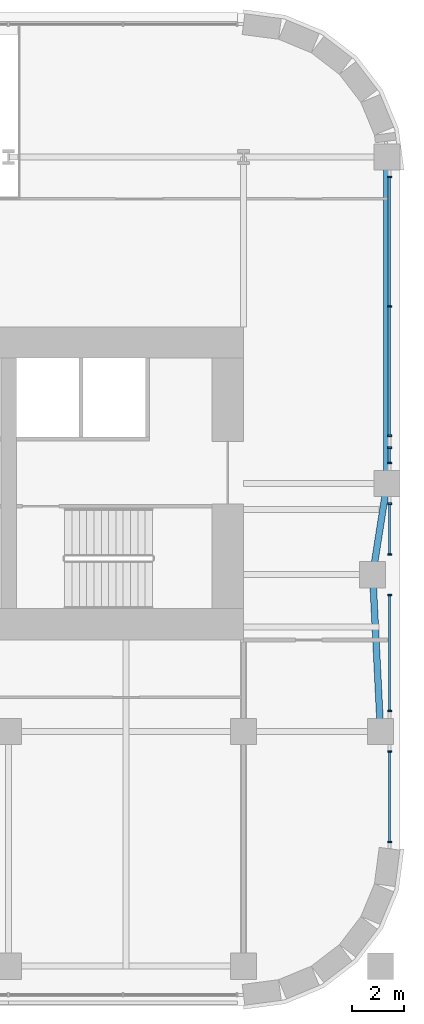
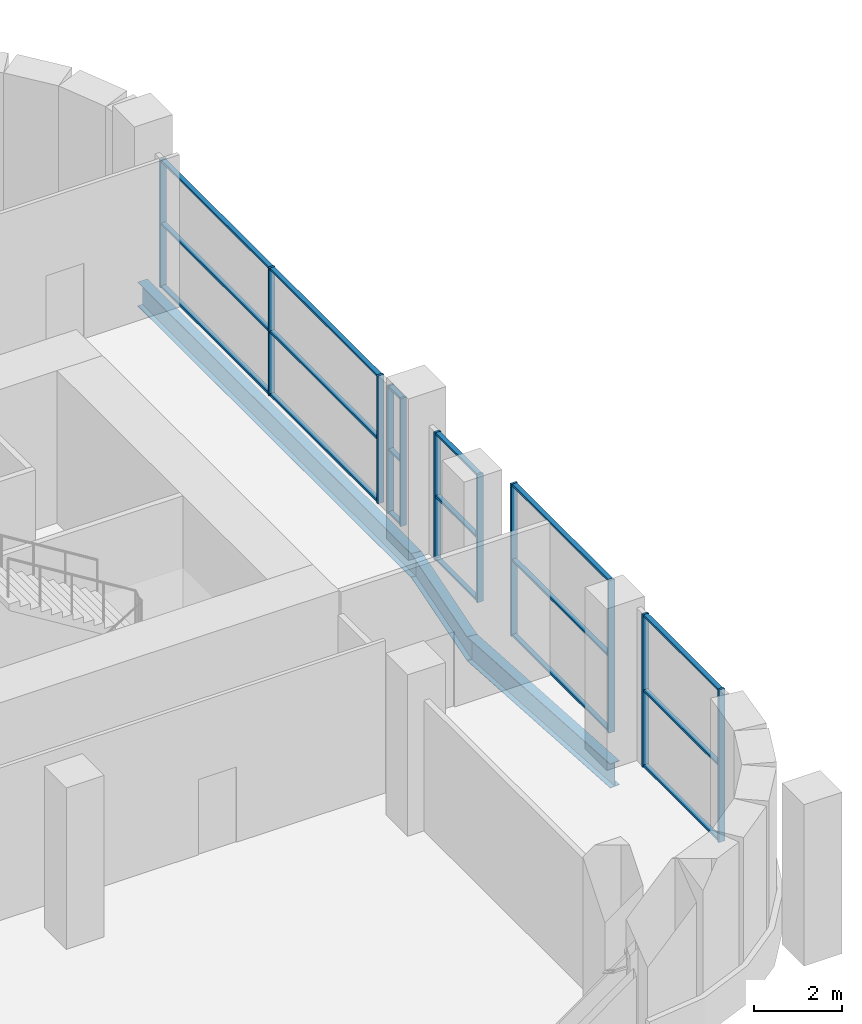
# One storey, part 10 of 21: 29 members, 3 beams, 5 elements without a shape of their own.
"""IFC4 building model written with IfcOpenShell, lengths in metres."""

from ifc_helpers import new_model, si_unit, direction, frame, origin, origin_2d, place, context, subcontext, project, spatial, rectangle, i_section, extrude, material, material_profile, profile_set, type_object, element, aggregate, save


model = new_model("IFC4")

# Units and contexts
model_context = context("Model", 3, precision=1e-05, world=origin(), true_north=direction((0.0, 1.0)))
body_context = subcontext(model_context, "Body", "Model", "MODEL_VIEW")
ifc_project = project(units=[si_unit("LENGTHUNIT", "METRE"), si_unit("AREAUNIT", "SQUARE_METRE"), si_unit("VOLUMEUNIT", "CUBIC_METRE"), si_unit("PLANEANGLEUNIT", "RADIAN"), si_unit("MASSUNIT", "GRAM", prefix="KILO")], contexts=[model_context])

# Site, building, storey
site_placement = place(None, origin())
site = spatial("IfcSite", under=ifc_project, at=site_placement, CompositionType="ELEMENT")
building_placement = place(site_placement, origin())
building = spatial("IfcBuilding", under=site, at=building_placement, Name="Zellij Exchange Tower", CompositionType="ELEMENT")
storey_placement = place(building_placement, frame((0.0, 0.0, 43.5)))
storey = spatial("IfcBuildingStorey", under=building, at=storey_placement, Name="L07", CompositionType="ELEMENT", Elevation=43.5)

# Curtain wall, members
ifc_material_1 = material(Name="Aluminium frame, clear insulating glass", Category="aluminium")
curtain_wall_type = type_object("IfcCurtainWallType", Name="ENV-CW1 Sky-garden glazing", PredefinedType="NOTDEFINED", material=ifc_material_1)
curtain_wall_1_placement = place(storey_placement, origin())
curtain_wall_1 = element("IfcCurtainWall", 1, at=curtain_wall_1_placement, inside=storey, type_object=curtain_wall_type, Name="cw.L07.07a", PredefinedType="NOTDEFINED")
ifc_material_2 = material(Name="Aluminium", Category="aluminium")
ifc_material_profile_1 = material_profile(ifc_material_2, rectangle(XDim=0.06005859375, YDim=0.159912109375, at=origin_2d()), Name="AL 60x160")
ifc_profile_set_1 = profile_set([ifc_material_profile_1], Name="Aluminium")
member_type_1 = type_object("IfcMemberType", Name="ENV-CW1M Mullion 60x160", PredefinedType="MULLION", material=ifc_profile_set_1)
member_1_placement = place(storey_placement, frame((32.60009765625, -21.743896484375, 0.0), z_axis=(0.0, 0.0, 1.0), x_axis=(0.0, 1.0, 0.0)))
member_1 = element("IfcMember", 2, at=member_1_placement, type_object=member_type_1, Name="CW1 mullion 1", PredefinedType="MULLION", context=body_context, shape_type="SweptSolid", body=[
    extrude(rectangle(XDim=0.06005859375, YDim=0.159912109375, at=origin_2d()), origin(), (0.0, 0.0, 1.0), 4.25),
])
member_2_placement = place(storey_placement, frame((32.60009765625, -18.280029296875, 0.0), z_axis=(0.0, 0.0, 1.0), x_axis=(0.0, 1.0, 0.0)))
member_2 = element("IfcMember", 3, at=member_2_placement, type_object=member_type_1, Name="CW1 mullion 2", PredefinedType="MULLION", context=body_context, shape_type="SweptSolid", body=[
    extrude(rectangle(XDim=0.06005859375, YDim=0.159912109375, at=origin_2d()), origin(), (0.0, 0.0, 1.0), 4.25),
])

curtain_wall_2_placement = place(storey_placement, origin())
curtain_wall_2 = element("IfcCurtainWall", 4, at=curtain_wall_2_placement, inside=storey, type_object=curtain_wall_type, Name="cw.L07.07b", PredefinedType="NOTDEFINED")
member_3_placement = place(storey_placement, frame((32.60009765625, -16.719970703125, 0.0), z_axis=(0.0, 0.0, 1.0), x_axis=(0.0, 1.0, 0.0)))
member_3 = element("IfcMember", 5, at=member_3_placement, type_object=member_type_1, Name="CW1 mullion 1", PredefinedType="MULLION", context=body_context, shape_type="SweptSolid", body=[
    extrude(rectangle(XDim=0.06005859375, YDim=0.159912109375, at=origin_2d()), origin(), (0.0, 0.0, 1.0), 4.25),
])
member_4_placement = place(storey_placement, frame((32.60009765625, -12.280029296875, 0.0), z_axis=(0.0, 0.0, 1.0), x_axis=(0.0, 1.0, 0.0)))
member_4 = element("IfcMember", 6, at=member_4_placement, type_object=member_type_1, Name="CW1 mullion 2", PredefinedType="MULLION", context=body_context, shape_type="SweptSolid", body=[
    extrude(rectangle(XDim=0.06005859375, YDim=0.159912109375, at=origin_2d()), origin(), (0.0, 0.0, 1.0), 4.25),
])

curtain_wall_3_placement = place(storey_placement, origin())
curtain_wall_3 = element("IfcCurtainWall", 7, at=curtain_wall_3_placement, inside=storey, type_object=curtain_wall_type, Name="cw.L07.07c", PredefinedType="NOTDEFINED")
member_5_placement = place(storey_placement, frame((32.60009765625, -10.719970703125, 0.0), z_axis=(0.0, 0.0, 1.0), x_axis=(0.0, 1.0, 0.0)))
member_5 = element("IfcMember", 8, at=member_5_placement, type_object=member_type_1, Name="CW1 mullion 1", PredefinedType="MULLION", context=body_context, shape_type="SweptSolid", body=[
    extrude(rectangle(XDim=0.06005859375, YDim=0.159912109375, at=origin_2d()), origin(), (0.0, 0.0, 1.0), 3.561767578125),
])
member_6_placement = place(storey_placement, frame((32.60009765625, -8.780029296875, 0.0), z_axis=(0.0, 0.0, 1.0), x_axis=(0.0, 1.0, 0.0)))
member_6 = element("IfcMember", 9, at=member_6_placement, type_object=member_type_1, Name="CW1 mullion 2", PredefinedType="MULLION", context=body_context, shape_type="SweptSolid", body=[
    extrude(rectangle(XDim=0.06005859375, YDim=0.159912109375, at=origin_2d()), origin(), (0.0, 0.0, 1.0), 3.561767578125),
])

curtain_wall_4_placement = place(storey_placement, origin())
curtain_wall_4 = element("IfcCurtainWall", 10, at=curtain_wall_4_placement, inside=storey, type_object=curtain_wall_type, Name="cw.L07.07d", PredefinedType="NOTDEFINED")
member_7_placement = place(storey_placement, frame((32.60009765625, -7.219970703125, 0.0), z_axis=(0.0, 0.0, 1.0), x_axis=(0.0, 1.0, 0.0)))
member_7 = element("IfcMember", 11, at=member_7_placement, type_object=member_type_1, Name="CW1 mullion 1", PredefinedType="MULLION", context=body_context, shape_type="SweptSolid", body=[
    extrude(rectangle(XDim=0.06005859375, YDim=0.159912109375, at=origin_2d()), origin(), (0.0, 0.0, 1.0), 3.561767578125),
])
member_8_placement = place(storey_placement, frame((32.60009765625, -6.63525390625, 0.0), z_axis=(0.0, 0.0, 1.0), x_axis=(0.0, 1.0, 0.0)))
member_8 = element("IfcMember", 12, at=member_8_placement, type_object=member_type_1, Name="CW1 mullion 2", PredefinedType="MULLION", context=body_context, shape_type="SweptSolid", body=[
    extrude(rectangle(XDim=0.06005859375, YDim=0.159912109375, at=origin_2d()), origin(), (0.0, 0.0, 1.0), 3.561767578125),
])

curtain_wall_5_placement = place(storey_placement, origin())
curtain_wall_5 = element("IfcCurtainWall", 13, at=curtain_wall_5_placement, inside=storey, type_object=curtain_wall_type, Name="cw.L07.07e", PredefinedType="NOTDEFINED")
member_9_placement = place(storey_placement, frame((32.60009765625, -6.17529296875, 0.0), z_axis=(0.0, 0.0, 1.0), x_axis=(0.0, 1.0, 0.0)))
member_9 = element("IfcMember", 14, at=member_9_placement, type_object=member_type_1, Name="CW1 mullion 1", PredefinedType="MULLION", context=body_context, shape_type="SweptSolid", body=[
    extrude(rectangle(XDim=0.06005859375, YDim=0.159912109375, at=origin_2d()), origin(), (0.0, 0.0, 1.0), 3.561767578125),
])
member_10_placement = place(storey_placement, frame((32.60009765625, -1.2158203125, 0.0), z_axis=(0.0, 0.0, 1.0), x_axis=(0.0, 1.0, 0.0)))
member_10 = element("IfcMember", 15, at=member_10_placement, type_object=member_type_1, Name="CW1 mullion 2", PredefinedType="MULLION", context=body_context, shape_type="SweptSolid", body=[
    extrude(rectangle(XDim=0.06005859375, YDim=0.159912109375, at=origin_2d()), origin(), (0.0, 0.0, 1.0), 3.561767578125),
])
member_11_placement = place(storey_placement, frame((32.60009765625, 3.743896484375, 0.0), z_axis=(0.0, 0.0, 1.0), x_axis=(0.0, 1.0, 0.0)))
member_11 = element("IfcMember", 16, at=member_11_placement, type_object=member_type_1, Name="CW1 mullion 3", PredefinedType="MULLION", context=body_context, shape_type="SweptSolid", body=[
    extrude(rectangle(XDim=0.06005859375, YDim=0.159912109375, at=origin_2d()), origin(), (0.0, 0.0, 1.0), 3.561767578125),
])

# Member
ifc_material_profile_2 = material_profile(ifc_material_2, rectangle(XDim=0.1201171875, YDim=0.06005859375, at=origin_2d()), Name="AL 120x60")
ifc_profile_set_2 = profile_set([ifc_material_profile_2], Name="Aluminium")
member_type_2 = type_object("IfcMemberType", Name="ENV-CW1T Transom 120x60", PredefinedType="USERDEFINED", material=ifc_profile_set_2)
member_12_placement = place(storey_placement, frame((32.60009765625, -21.7138671875, 0.030029296875), z_axis=(0.0, 1.0, 0.0), x_axis=(-1.0, 0.0, 0.0)))
member_12 = element("IfcMember", 17, at=member_12_placement, type_object=member_type_2, Name="CW1 transom 1.1", ObjectType="TRANSOM", PredefinedType="USERDEFINED", context=body_context, shape_type="SweptSolid", body=[
    extrude(rectangle(XDim=0.1201171875, YDim=0.06005859375, at=origin_2d()), origin(), (0.0, 0.0, 1.0), 3.40380859375),
])

member_13_placement = place(storey_placement, frame((32.60009765625, -21.7138671875, 2.125), z_axis=(0.0, 1.0, 0.0), x_axis=(-1.0, 0.0, 0.0)))
member_13 = element("IfcMember", 18, at=member_13_placement, type_object=member_type_2, Name="CW1 transom 1.2", ObjectType="TRANSOM", PredefinedType="USERDEFINED", context=body_context, shape_type="SweptSolid", body=[
    extrude(rectangle(XDim=0.1201171875, YDim=0.06005859375, at=origin_2d()), origin(), (0.0, 0.0, 1.0), 3.40380859375),
])

member_14_placement = place(storey_placement, frame((32.60009765625, -21.7138671875, 4.219970703125), z_axis=(0.0, 1.0, 0.0), x_axis=(-1.0, 0.0, 0.0)))
member_14 = element("IfcMember", 19, at=member_14_placement, type_object=member_type_2, Name="CW1 transom 1.3", ObjectType="TRANSOM", PredefinedType="USERDEFINED", context=body_context, shape_type="SweptSolid", body=[
    extrude(rectangle(XDim=0.1201171875, YDim=0.06005859375, at=origin_2d()), origin(), (0.0, 0.0, 1.0), 3.40380859375),
])

aggregate(curtain_wall_1, [member_1, member_2, member_12, member_13, member_14])

member_15_placement = place(storey_placement, frame((32.60009765625, -16.68994140625, 0.030029296875), z_axis=(0.0, 1.0, 0.0), x_axis=(-1.0, 0.0, 0.0)))
member_15 = element("IfcMember", 20, at=member_15_placement, type_object=member_type_2, Name="CW1 transom 1.1", ObjectType="TRANSOM", PredefinedType="USERDEFINED", context=body_context, shape_type="SweptSolid", body=[
    extrude(rectangle(XDim=0.1201171875, YDim=0.06005859375, at=origin_2d()), origin(), (0.0, 0.0, 1.0), 4.3798828125),
])

member_16_placement = place(storey_placement, frame((32.60009765625, -16.68994140625, 2.125), z_axis=(0.0, 1.0, 0.0), x_axis=(-1.0, 0.0, 0.0)))
member_16 = element("IfcMember", 21, at=member_16_placement, type_object=member_type_2, Name="CW1 transom 1.2", ObjectType="TRANSOM", PredefinedType="USERDEFINED", context=body_context, shape_type="SweptSolid", body=[
    extrude(rectangle(XDim=0.1201171875, YDim=0.06005859375, at=origin_2d()), origin(), (0.0, 0.0, 1.0), 4.3798828125),
])

member_17_placement = place(storey_placement, frame((32.60009765625, -16.68994140625, 4.219970703125), z_axis=(0.0, 1.0, 0.0), x_axis=(-1.0, 0.0, 0.0)))
member_17 = element("IfcMember", 22, at=member_17_placement, type_object=member_type_2, Name="CW1 transom 1.3", ObjectType="TRANSOM", PredefinedType="USERDEFINED", context=body_context, shape_type="SweptSolid", body=[
    extrude(rectangle(XDim=0.1201171875, YDim=0.06005859375, at=origin_2d()), origin(), (0.0, 0.0, 1.0), 4.3798828125),
])

aggregate(curtain_wall_2, [member_3, member_4, member_15, member_16, member_17])

member_18_placement = place(storey_placement, frame((32.60009765625, -10.68994140625, 0.030029296875), z_axis=(0.0, 1.0, 0.0), x_axis=(-1.0, 0.0, 0.0)))
member_18 = element("IfcMember", 23, at=member_18_placement, type_object=member_type_2, Name="CW1 transom 1.1", ObjectType="TRANSOM", PredefinedType="USERDEFINED", context=body_context, shape_type="SweptSolid", body=[
    extrude(rectangle(XDim=0.1201171875, YDim=0.06005859375, at=origin_2d()), origin(), (0.0, 0.0, 1.0), 1.8798828125),
])

member_19_placement = place(storey_placement, frame((32.60009765625, -10.68994140625, 1.781005859375), z_axis=(0.0, 1.0, 0.0), x_axis=(-1.0, 0.0, 0.0)))
member_19 = element("IfcMember", 24, at=member_19_placement, type_object=member_type_2, Name="CW1 transom 1.2", ObjectType="TRANSOM", PredefinedType="USERDEFINED", context=body_context, shape_type="SweptSolid", body=[
    extrude(rectangle(XDim=0.1201171875, YDim=0.06005859375, at=origin_2d()), origin(), (0.0, 0.0, 1.0), 1.8798828125),
])

member_20_placement = place(storey_placement, frame((32.60009765625, -10.68994140625, 3.53173828125), z_axis=(0.0, 1.0, 0.0), x_axis=(-1.0, 0.0, 0.0)))
member_20 = element("IfcMember", 25, at=member_20_placement, type_object=member_type_2, Name="CW1 transom 1.3", ObjectType="TRANSOM", PredefinedType="USERDEFINED", context=body_context, shape_type="SweptSolid", body=[
    extrude(rectangle(XDim=0.1201171875, YDim=0.06005859375, at=origin_2d()), origin(), (0.0, 0.0, 1.0), 1.8798828125),
])

aggregate(curtain_wall_3, [member_5, member_6, member_18, member_19, member_20])

member_21_placement = place(storey_placement, frame((32.60009765625, -7.18994140625, 0.030029296875), z_axis=(0.0, 1.0, 0.0), x_axis=(-1.0, 0.0, 0.0)))
member_21 = element("IfcMember", 26, at=member_21_placement, type_object=member_type_2, Name="CW1 transom 1.1", ObjectType="TRANSOM", PredefinedType="USERDEFINED", context=body_context, shape_type="SweptSolid", body=[
    extrude(rectangle(XDim=0.1201171875, YDim=0.06005859375, at=origin_2d()), origin(), (0.0, 0.0, 1.0), 0.524658203125),
])

member_22_placement = place(storey_placement, frame((32.60009765625, -7.18994140625, 1.781005859375), z_axis=(0.0, 1.0, 0.0), x_axis=(-1.0, 0.0, 0.0)))
member_22 = element("IfcMember", 27, at=member_22_placement, type_object=member_type_2, Name="CW1 transom 1.2", ObjectType="TRANSOM", PredefinedType="USERDEFINED", context=body_context, shape_type="SweptSolid", body=[
    extrude(rectangle(XDim=0.1201171875, YDim=0.06005859375, at=origin_2d()), origin(), (0.0, 0.0, 1.0), 0.524658203125),
])

member_23_placement = place(storey_placement, frame((32.60009765625, -7.18994140625, 3.53173828125), z_axis=(0.0, 1.0, 0.0), x_axis=(-1.0, 0.0, 0.0)))
member_23 = element("IfcMember", 28, at=member_23_placement, type_object=member_type_2, Name="CW1 transom 1.3", ObjectType="TRANSOM", PredefinedType="USERDEFINED", context=body_context, shape_type="SweptSolid", body=[
    extrude(rectangle(XDim=0.1201171875, YDim=0.06005859375, at=origin_2d()), origin(), (0.0, 0.0, 1.0), 0.524658203125),
])

aggregate(curtain_wall_4, [member_7, member_8, member_21, member_22, member_23])

member_24_placement = place(storey_placement, frame((32.60009765625, -6.145263671875, 0.030029296875), z_axis=(0.0, 1.0, 0.0), x_axis=(-1.0, 0.0, 0.0)))
member_24 = element("IfcMember", 29, at=member_24_placement, type_object=member_type_2, Name="CW1 transom 1.1", ObjectType="TRANSOM", PredefinedType="USERDEFINED", context=body_context, shape_type="SweptSolid", body=[
    extrude(rectangle(XDim=0.1201171875, YDim=0.06005859375, at=origin_2d()), origin(), (0.0, 0.0, 1.0), 4.8994140625),
])

member_25_placement = place(storey_placement, frame((32.60009765625, -6.145263671875, 1.781005859375), z_axis=(0.0, 1.0, 0.0), x_axis=(-1.0, 0.0, 0.0)))
member_25 = element("IfcMember", 30, at=member_25_placement, type_object=member_type_2, Name="CW1 transom 1.2", ObjectType="TRANSOM", PredefinedType="USERDEFINED", context=body_context, shape_type="SweptSolid", body=[
    extrude(rectangle(XDim=0.1201171875, YDim=0.06005859375, at=origin_2d()), origin(), (0.0, 0.0, 1.0), 4.8994140625),
])

member_26_placement = place(storey_placement, frame((32.60009765625, -6.145263671875, 3.53173828125), z_axis=(0.0, 1.0, 0.0), x_axis=(-1.0, 0.0, 0.0)))
member_26 = element("IfcMember", 31, at=member_26_placement, type_object=member_type_2, Name="CW1 transom 1.3", ObjectType="TRANSOM", PredefinedType="USERDEFINED", context=body_context, shape_type="SweptSolid", body=[
    extrude(rectangle(XDim=0.1201171875, YDim=0.06005859375, at=origin_2d()), origin(), (0.0, 0.0, 1.0), 4.8994140625),
])

member_27_placement = place(storey_placement, frame((32.60009765625, -1.185791015625, 0.030029296875), z_axis=(0.0, 1.0, 0.0), x_axis=(-1.0, 0.0, 0.0)))
member_27 = element("IfcMember", 32, at=member_27_placement, type_object=member_type_2, Name="CW1 transom 2.1", ObjectType="TRANSOM", PredefinedType="USERDEFINED", context=body_context, shape_type="SweptSolid", body=[
    extrude(rectangle(XDim=0.1201171875, YDim=0.06005859375, at=origin_2d()), origin(), (0.0, 0.0, 1.0), 4.899658203125),
])

member_28_placement = place(storey_placement, frame((32.60009765625, -1.185791015625, 1.781005859375), z_axis=(0.0, 1.0, 0.0), x_axis=(-1.0, 0.0, 0.0)))
member_28 = element("IfcMember", 33, at=member_28_placement, type_object=member_type_2, Name="CW1 transom 2.2", ObjectType="TRANSOM", PredefinedType="USERDEFINED", context=body_context, shape_type="SweptSolid", body=[
    extrude(rectangle(XDim=0.1201171875, YDim=0.06005859375, at=origin_2d()), origin(), (0.0, 0.0, 1.0), 4.899658203125),
])

member_29_placement = place(storey_placement, frame((32.60009765625, -1.185791015625, 3.53173828125), z_axis=(0.0, 1.0, 0.0), x_axis=(-1.0, 0.0, 0.0)))
member_29 = element("IfcMember", 34, at=member_29_placement, type_object=member_type_2, Name="CW1 transom 2.3", ObjectType="TRANSOM", PredefinedType="USERDEFINED", context=body_context, shape_type="SweptSolid", body=[
    extrude(rectangle(XDim=0.1201171875, YDim=0.06005859375, at=origin_2d()), origin(), (0.0, 0.0, 1.0), 4.899658203125),
])

aggregate(curtain_wall_5, [member_9, member_10, member_11, member_24, member_25, member_26, member_27, member_28, member_29])

# Beams
ifc_material_3 = material(Name="Structural steel ASTM A992 Gr 50", Category="steel")
ifc_material_profile_3 = material_profile(ifc_material_3, i_section(OverallWidth=0.25390625, OverallDepth=0.67822265625, WebThickness=0.01171875, FlangeThickness=0.016357421875, at=origin_2d()), Name="W27x84")
ifc_profile_set_3 = profile_set([ifc_material_profile_3], Name="Structural steel ASTM A992 Gr 50")
beam_type = type_object("IfcBeamType", Name="STR-EDGE GIRDER W27x84", PredefinedType="BEAM", material=ifc_profile_set_3)
beam_1_placement = place(storey_placement, frame((32.25, -17.5, -0.589111328125), z_axis=(-0.049945724537, 0.998751933465, 0.0), x_axis=(-0.998751933465, -0.049945724537, 0.0)))
element("IfcBeam", 35, at=beam_1_placement, inside=storey, type_object=beam_type, Name="EB7", PredefinedType="BEAM", context=body_context, shape_type="SweptSolid", body=[
    extrude(i_section(OverallWidth=0.25390625, OverallDepth=0.67822265625, WebThickness=0.01171875, FlangeThickness=0.016357421875, at=origin_2d()), origin(), (0.0, 0.0, 1.0), 6.007568359375),
])
beam_2_placement = place(storey_placement, frame((31.949951171875, -11.5, -0.589111328125), z_axis=(0.155251283593, 0.987875011802, 0.0), x_axis=(-0.987875011802, 0.155251283593, 0.0)))
element("IfcBeam", 36, at=beam_2_placement, inside=storey, type_object=beam_type, Name="EB7", PredefinedType="BEAM", context=body_context, shape_type="SweptSolid", body=[
    extrude(i_section(OverallWidth=0.25390625, OverallDepth=0.67822265625, WebThickness=0.01171875, FlangeThickness=0.016357421875, at=origin_2d()), origin(), (0.0, 0.0, 1.0), 3.54296875),
])
beam_3_placement = place(storey_placement, frame((32.5, -8.0, -0.589111328125), z_axis=(0.0, 1.0, 0.0), x_axis=(-1.0, 0.0, 0.0)))
element("IfcBeam", 37, at=beam_3_placement, inside=storey, type_object=beam_type, Name="EB7", PredefinedType="BEAM", context=body_context, shape_type="SweptSolid", body=[
    extrude(i_section(OverallWidth=0.25390625, OverallDepth=0.67822265625, WebThickness=0.01171875, FlangeThickness=0.016357421875, at=origin_2d()), origin(), (0.0, 0.0, 1.0), 12.5),
])

save(model, "model.ifc")
